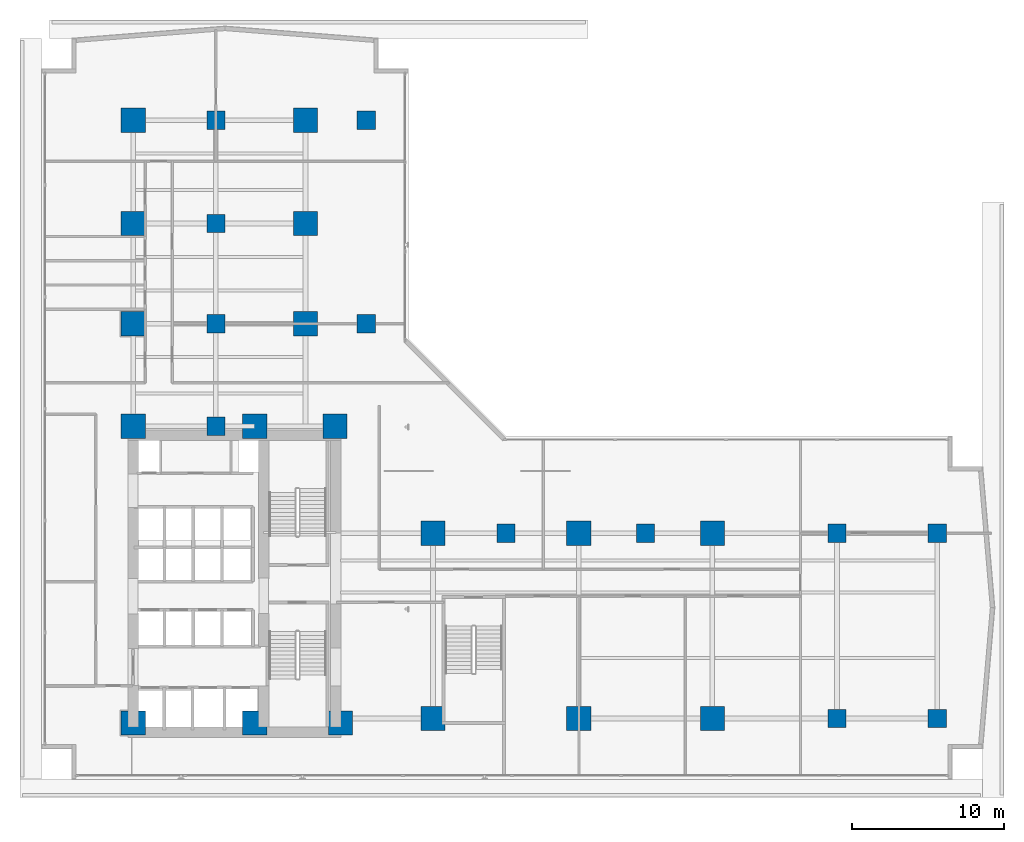
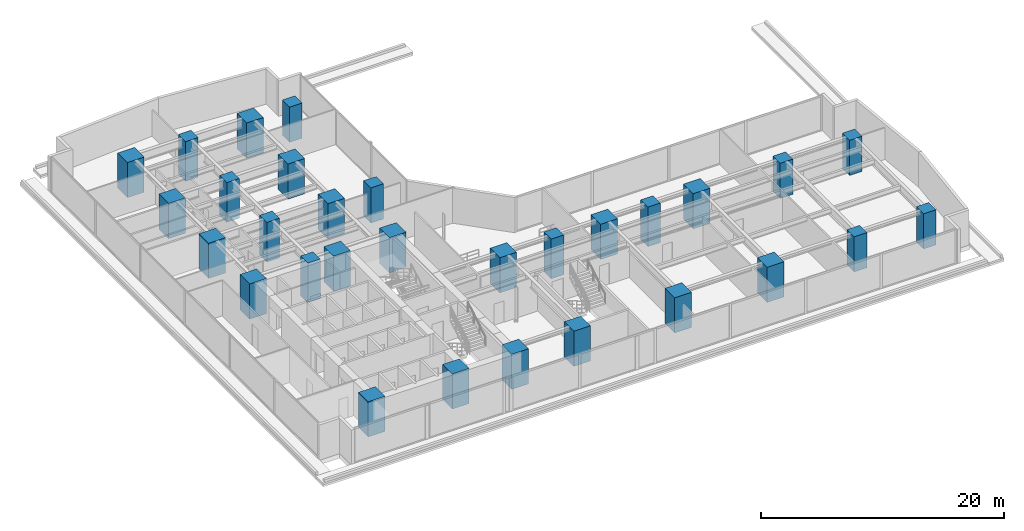
# One storey, part 1 of 29: 30 columns.
"""IFC4 building model written with IfcOpenShell, lengths in metres."""

from ifc_helpers import new_model, si_unit, direction, frame, origin, origin_2d, place, context, subcontext, project, spatial, rectangle, extrude, material, material_profile, profile_set, type_object, element, save


model = new_model("IFC4")

# Units and contexts
model_context = context("Model", 3, precision=1e-05, world=origin(), true_north=direction((0.0, 1.0)))
body_context = subcontext(model_context, "Body", "Model", "MODEL_VIEW")
ifc_project = project(units=[si_unit("LENGTHUNIT", "METRE"), si_unit("AREAUNIT", "SQUARE_METRE"), si_unit("VOLUMEUNIT", "CUBIC_METRE"), si_unit("PLANEANGLEUNIT", "RADIAN"), si_unit("MASSUNIT", "GRAM", prefix="KILO")], contexts=[model_context])

# Site, building, storey
site_placement = place(None, origin())
site = spatial("IfcSite", under=ifc_project, at=site_placement, CompositionType="ELEMENT")
building_placement = place(site_placement, origin())
building = spatial("IfcBuilding", under=site, at=building_placement, Name="Kolvaren Waterfront Exchange", CompositionType="ELEMENT")
storey_placement = place(building_placement, frame((0.0, 0.0, 29.60009765625)))
storey = spatial("IfcBuildingStorey", under=building, at=storey_placement, Name="L07", CompositionType="ELEMENT", Elevation=29.60009765625)

# Columns
ifc_material = material(Name="Concrete C70/85", Category="concrete")
ifc_material_profile_1 = material_profile(ifc_material, rectangle(XDim=1.199951171875, YDim=1.199951171875, at=origin_2d()), Name="RC-COL-1200x1200")
ifc_profile_set_1 = profile_set([ifc_material_profile_1], Name="Concrete C70/85")
column_type_1 = type_object("IfcColumnType", Name="STR-COL-1200-C70", PredefinedType="COLUMN", material=ifc_profile_set_1)
for number, where, z_axis, x_axis, name in (
    (1, (53.800048828125, 5.199951171875, 0.0), (0.0, 0.0, 1.0), (1.0, 0.0, 0.0), "L07 column ZC01"),
    (2, (53.800048828125, 17.39990234375, 0.0), (0.0, 0.0, 1.0), (1.0, 0.0, 0.0), "L07 column ZC02"),
    (3, (60.39990234375, 5.199951171875, 0.0), (0.0, 0.0, 1.0), (1.0, 0.0, 0.0), "L07 column ZC03"),
    (4, (60.39990234375, 17.39990234375, 0.0), (0.0, 0.0, 1.0), (1.0, 0.0, 0.0), "L07 column ZC04"),
    (5, (22.800048828125, 31.199951171875, 0.0), (0.0, 0.0, 1.0), (1.0, 0.0, 0.0), "L07 column ZC05"),
    (6, (22.800048828125, 44.60009765625, 0.0), (0.0, 0.0, 1.0), (1.0, 0.0, 0.0), "L07 column ZC06"),
):
    element("IfcColumn", number, at=place(storey_placement, frame(where, z_axis=z_axis, x_axis=x_axis)), inside=storey, type_object=column_type_1, Name=name, PredefinedType="COLUMN", context=body_context, shape_type="SweptSolid", body=[
        extrude(rectangle(XDim=1.199951171875, YDim=1.199951171875, at=origin_2d()), origin(), (0.0, 0.0, 1.0), 3.539794921875),
    ])
for number, where, z_axis, x_axis, name in (
    (7, (12.89990234375, 24.449951171875, -0.4501953125), (0.0, 0.0, 1.0), (1.0, 0.0, 0.0), "L07 column TC01"),
    (8, (12.89990234375, 31.199951171875, -0.4501953125), (0.0, 0.0, 1.0), (1.0, 0.0, 0.0), "L07 column TC02"),
    (9, (12.89990234375, 37.800048828125, -0.4501953125), (0.0, 0.0, 1.0), (1.0, 0.0, 0.0), "L07 column TC03"),
    (10, (12.89990234375, 44.60009765625, -0.4501953125), (0.0, 0.0, 1.0), (1.0, 0.0, 0.0), "L07 column TC04"),
    (11, (32.0, 17.39990234375, -0.4501953125), (0.0, 0.0, 1.0), (1.0, 0.0, 0.0), "L07 column TC05"),
    (12, (41.199951171875, 17.39990234375, -0.4501953125), (0.0, 0.0, 1.0), (1.0, 0.0, 0.0), "L07 column TC06"),
):
    element("IfcColumn", number, at=place(storey_placement, frame(where, z_axis=z_axis, x_axis=x_axis)), inside=storey, type_object=column_type_1, Name=name, PredefinedType="COLUMN", context=body_context, shape_type="SweptSolid", body=[
        extrude(rectangle(XDim=1.199951171875, YDim=1.199951171875, at=origin_2d()), origin(), (0.0, 0.0, 1.0), 3.989990234375),
    ])
ifc_material_profile_2 = material_profile(ifc_material, rectangle(XDim=1.60009765625, YDim=1.60009765625, at=origin_2d()), Name="RC-COL-1600x1600")
ifc_profile_set_2 = profile_set([ifc_material_profile_2], Name="Concrete C70/85")
column_type_2 = type_object("IfcColumnType", Name="STR-COL-1600-C70", PredefinedType="COLUMN", material=ifc_profile_set_2)
for number, where, z_axis, x_axis, name in (
    (13, (7.449951171875, 4.89990234375, 0.0), (0.0, 0.0, 1.0), (1.0, 0.0, 0.0), "L07 column MC01"),
    (14, (15.449951171875, 4.89990234375, 0.0), (0.0, 0.0, 1.0), (1.0, 0.0, 0.0), "L07 column MC02"),
    (15, (21.10009765625, 4.89990234375, 0.0), (0.0, 0.0, 1.0), (1.0, 0.0, 0.0), "L07 column MC03"),
    (16, (7.449951171875, 24.449951171875, 0.0), (0.0, 0.0, 1.0), (1.0, 0.0, 0.0), "L07 column MC04"),
    (17, (15.449951171875, 24.449951171875, 0.0), (0.0, 0.0, 1.0), (1.0, 0.0, 0.0), "L07 column MC05"),
    (18, (20.75, 24.449951171875, 0.0), (0.0, 0.0, 1.0), (1.0, 0.0, 0.0), "L07 column MC06"),
    (19, (7.449951171875, 31.199951171875, 0.0), (0.0, 0.0, 1.0), (1.0, 0.0, 0.0), "L07 column NC01"),
    (20, (7.449951171875, 37.800048828125, 0.0), (0.0, 0.0, 1.0), (1.0, 0.0, 0.0), "L07 column NC02"),
    (21, (7.449951171875, 44.60009765625, 0.0), (0.0, 0.0, 1.0), (1.0, 0.0, 0.0), "L07 column NC03"),
    (22, (18.800048828125, 31.199951171875, 0.0), (0.0, 0.0, 1.0), (1.0, 0.0, 0.0), "L07 column NC04"),
    (23, (18.800048828125, 37.800048828125, 0.0), (0.0, 0.0, 1.0), (1.0, 0.0, 0.0), "L07 column NC05"),
    (24, (18.800048828125, 44.60009765625, 0.0), (0.0, 0.0, 1.0), (1.0, 0.0, 0.0), "L07 column NC06"),
    (25, (27.199951171875, 5.199951171875, 0.0), (0.0, 0.0, 1.0), (1.0, 0.0, 0.0), "L07 column EC01"),
    (26, (36.800048828125, 5.199951171875, 0.0), (0.0, 0.0, 1.0), (1.0, 0.0, 0.0), "L07 column EC02"),
    (27, (45.60009765625, 5.199951171875, 0.0), (0.0, 0.0, 1.0), (1.0, 0.0, 0.0), "L07 column EC03"),
    (28, (27.199951171875, 17.39990234375, 0.0), (0.0, 0.0, 1.0), (1.0, 0.0, 0.0), "L07 column EC04"),
    (29, (36.800048828125, 17.39990234375, 0.0), (0.0, 0.0, 1.0), (1.0, 0.0, 0.0), "L07 column EC05"),
    (30, (45.60009765625, 17.39990234375, 0.0), (0.0, 0.0, 1.0), (1.0, 0.0, 0.0), "L07 column EC06"),
):
    element("IfcColumn", number, at=place(storey_placement, frame(where, z_axis=z_axis, x_axis=x_axis)), inside=storey, type_object=column_type_2, Name=name, PredefinedType="COLUMN", context=body_context, shape_type="SweptSolid", body=[
        extrude(rectangle(XDim=1.60009765625, YDim=1.60009765625, at=origin_2d()), origin(), (0.0, 0.0, 1.0), 3.539794921875),
    ])

save(model, "model.ifc")
